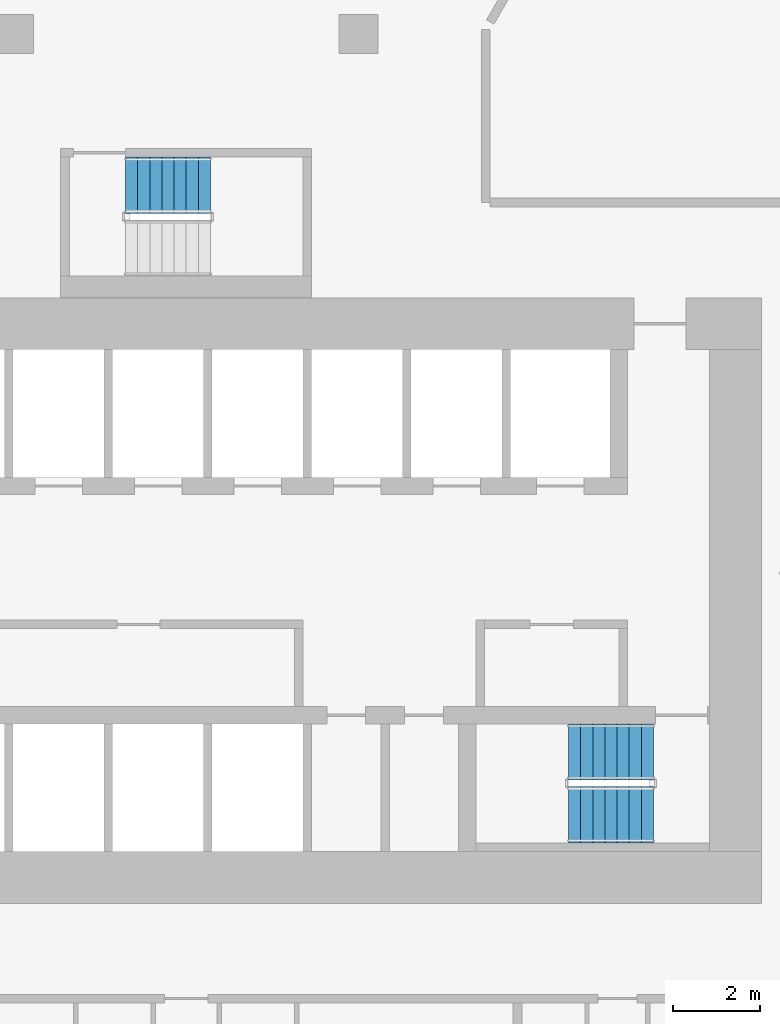
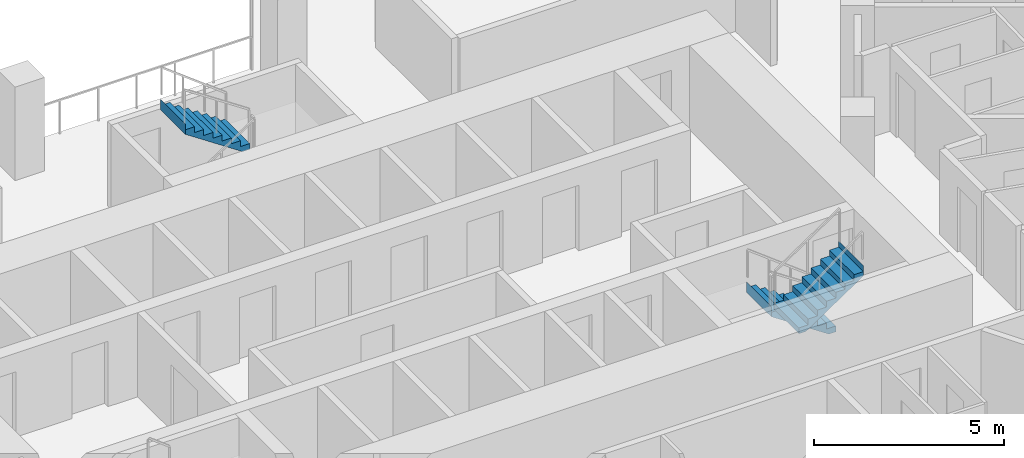
# One storey, part 17 of 21: 3 stair flights, 2 elements without a shape of their own.
"""IFC4 building model written with IfcOpenShell, lengths in metres."""

from ifc_helpers import new_model, si_unit, direction, frame, origin, place, context, subcontext, project, spatial, triangles, material, type_object, element, aggregate, save


model = new_model("IFC4")

# Units and contexts
model_context = context("Model", 3, precision=1e-05, world=origin(), true_north=direction((0.0, 1.0)))
body_context = subcontext(model_context, "Body", "Model", "MODEL_VIEW")
ifc_project = project(units=[si_unit("LENGTHUNIT", "METRE"), si_unit("AREAUNIT", "SQUARE_METRE"), si_unit("VOLUMEUNIT", "CUBIC_METRE"), si_unit("PLANEANGLEUNIT", "RADIAN"), si_unit("MASSUNIT", "GRAM", prefix="KILO")], contexts=[model_context])

# Site, building, storey
site_placement = place(None, origin())
site = spatial("IfcSite", under=ifc_project, at=site_placement, CompositionType="ELEMENT")
building_placement = place(site_placement, origin())
building = spatial("IfcBuilding", under=site, at=building_placement, Name="Beryl Residences", CompositionType="ELEMENT")
storey_placement = place(building_placement, frame((0.0, 0.0, 53.39990234375)))
storey = spatial("IfcBuildingStorey", under=building, at=storey_placement, Name="L16", CompositionType="ELEMENT", Elevation=53.39990234375)

# Stair, stair flights
ifc_material_1 = material(Name="Concrete C40/50", Category="concrete")
stair_type = type_object("IfcStairType", Name="ST1 protected exit stair, half-turn, 1300 mm flights", PredefinedType="HALF_TURN_STAIR", material=ifc_material_1)
stair_1_placement = place(storey_placement, origin())
stair_1 = element("IfcStair", 1, at=stair_1_placement, inside=storey, type_object=stair_type, Name="L16 PROTECTED EXIT STAIR ST-3", PredefinedType="HALF_TURN_STAIR")
ifc_material_2 = material(Name="Concrete C40/50", Category="concrete")
stair_flight_type = type_object("IfcStairFlightType", Name="SF1 stair flight 1300 mm", PredefinedType="STRAIGHT", material=ifc_material_2)
stair_flight_1_placement = place(storey_placement, frame((10.800048828125, -15.5, 0.0), z_axis=(0.0, 0.0, 1.0), x_axis=(-1.0, 0.0, 0.0)))
stair_flight_1 = element("IfcStairFlight", 2, at=stair_flight_1_placement, type_object=stair_flight_type, Name="ST-3 flight 1", NumberOfRisers=8, NumberOfTreads=7, PredefinedType="STRAIGHT", RiserHeight=0.1875, TreadLength=0.28, context=body_context, shape_type="Tessellation", body=[
    triangles([(0.0, -0.64990234375, 0.0), (0.0, -0.324951171875, 0.0), (0.0, 0.0, 0.0), (0.0, 0.324951171875, 0.0), (0.0, 0.64990234375, 0.0), (0.0, -0.64990234375, 0.1875), (0.0, -0.324951171875, 0.1875), (0.0, 0.0, 0.1875), (0.0, 0.324951171875, 0.1875), (0.0, 0.64990234375, 0.1875), (0.280029296875, -0.64990234375, 0.1875), (0.280029296875, -0.324951171875, 0.1875), (0.280029296875, 0.0, 0.1875), (0.280029296875, 0.324951171875, 0.1875), (0.280029296875, 0.64990234375, 0.1875), (0.280029296875, -0.64990234375, 0.375), (0.280029296875, -0.324951171875, 0.375), (0.280029296875, 0.0, 0.375), (0.280029296875, 0.324951171875, 0.375), (0.280029296875, 0.64990234375, 0.375), (0.56005859375, -0.64990234375, 0.375), (0.56005859375, -0.324951171875, 0.375), (0.56005859375, 0.0, 0.375), (0.56005859375, 0.324951171875, 0.375), (0.56005859375, 0.64990234375, 0.375), (0.56005859375, -0.64990234375, 0.5625), (0.56005859375, -0.324951171875, 0.5625), (0.56005859375, 0.0, 0.5625), (0.56005859375, 0.324951171875, 0.5625), (0.56005859375, 0.64990234375, 0.5625), (0.840087890625, -0.64990234375, 0.5625), (0.840087890625, -0.324951171875, 0.5625), (0.840087890625, 0.0, 0.5625), (0.840087890625, 0.324951171875, 0.5625), (0.840087890625, 0.64990234375, 0.5625), (0.840087890625, -0.64990234375, 0.75), (0.840087890625, -0.324951171875, 0.75), (0.840087890625, 0.0, 0.75), (0.840087890625, 0.324951171875, 0.75), (0.840087890625, 0.64990234375, 0.75), (1.1201171875, -0.64990234375, 0.75), (1.1201171875, -0.324951171875, 0.75), (1.1201171875, 0.0, 0.75), (1.1201171875, 0.324951171875, 0.75), (1.1201171875, 0.64990234375, 0.75), (1.1201171875, -0.64990234375, 0.9375), (1.1201171875, -0.324951171875, 0.9375), (1.1201171875, 0.0, 0.9375), (1.1201171875, 0.324951171875, 0.9375), (1.1201171875, 0.64990234375, 0.9375), (1.39990234375, -0.64990234375, 0.9375), (1.39990234375, -0.324951171875, 0.9375), (1.39990234375, 0.0, 0.9375), (1.39990234375, 0.324951171875, 0.9375), (1.39990234375, 0.64990234375, 0.9375), (1.39990234375, -0.64990234375, 1.125), (1.39990234375, -0.324951171875, 1.125), (1.39990234375, 0.0, 1.125), (1.39990234375, 0.324951171875, 1.125), (1.39990234375, 0.64990234375, 1.125), (1.679931640625, -0.64990234375, 1.125), (1.679931640625, -0.324951171875, 1.125), (1.679931640625, 0.0, 1.125), (1.679931640625, 0.324951171875, 1.125), (1.679931640625, 0.64990234375, 1.125), (1.679931640625, -0.64990234375, 1.3125), (1.679931640625, -0.324951171875, 1.3125), (1.679931640625, 0.0, 1.3125), (1.679931640625, 0.324951171875, 1.3125), (1.679931640625, 0.64990234375, 1.3125), (1.9599609375, -0.64990234375, 1.3125), (1.9599609375, -0.324951171875, 1.3125), (1.9599609375, 0.0, 1.3125), (1.9599609375, 0.324951171875, 1.3125), (1.9599609375, 0.64990234375, 1.3125), (1.9599609375, -0.64990234375, 1.5), (1.9599609375, -0.324951171875, 1.5), (1.9599609375, 0.0, 1.5), (1.9599609375, 0.324951171875, 1.5), (1.9599609375, 0.64990234375, 1.5), (1.9609375, -0.64990234375, 1.5), (1.9609375, -0.324951171875, 1.5), (1.9609375, 0.0, 1.5), (1.9609375, 0.324951171875, 1.5), (1.9609375, 0.64990234375, 1.5), (1.9609375, -0.64990234375, 1.16796875), (1.9609375, -0.324951171875, 1.16796875), (1.9609375, 0.0, 1.16796875), (1.9609375, 0.324951171875, 1.16796875), (1.9609375, 0.64990234375, 1.16796875), (0.216796875, -0.64990234375, 0.0), (0.216796875, -0.324951171875, 0.0), (0.216796875, 0.0, 0.0), (0.216796875, 0.324951171875, 0.0), (0.216796875, 0.64990234375, 0.0)], [[1, 6, 7], [1, 7, 2], [2, 7, 8], [2, 8, 3], [3, 8, 9], [3, 9, 4], [4, 9, 10], [4, 10, 5], [6, 11, 12], [6, 12, 7], [7, 12, 13], [7, 13, 8], [8, 13, 14], [8, 14, 9], [9, 14, 15], [9, 15, 10], [11, 16, 17], [11, 17, 12], [12, 17, 18], [12, 18, 13], [13, 18, 19], [13, 19, 14], [14, 19, 20], [14, 20, 15], [16, 21, 22], [16, 22, 17], [17, 22, 23], [17, 23, 18], [18, 23, 24], [18, 24, 19], [19, 24, 25], [19, 25, 20], [21, 26, 27], [21, 27, 22], [22, 27, 28], [22, 28, 23], [23, 28, 29], [23, 29, 24], [24, 29, 30], [24, 30, 25], [26, 31, 32], [26, 32, 27], [27, 32, 33], [27, 33, 28], [28, 33, 34], [28, 34, 29], [29, 34, 35], [29, 35, 30], [31, 36, 37], [31, 37, 32], [32, 37, 38], [32, 38, 33], [33, 38, 39], [33, 39, 34], [34, 39, 40], [34, 40, 35], [36, 41, 42], [36, 42, 37], [37, 42, 43], [37, 43, 38], [38, 43, 44], [38, 44, 39], [39, 44, 45], [39, 45, 40], [41, 46, 47], [41, 47, 42], [42, 47, 48], [42, 48, 43], [43, 48, 49], [43, 49, 44], [44, 49, 50], [44, 50, 45], [46, 51, 52], [46, 52, 47], [47, 52, 53], [47, 53, 48], [48, 53, 54], [48, 54, 49], [49, 54, 55], [49, 55, 50], [51, 56, 57], [51, 57, 52], [52, 57, 58], [52, 58, 53], [53, 58, 59], [53, 59, 54], [54, 59, 60], [54, 60, 55], [56, 61, 62], [56, 62, 57], [57, 62, 63], [57, 63, 58], [58, 63, 64], [58, 64, 59], [59, 64, 65], [59, 65, 60], [61, 66, 67], [61, 67, 62], [62, 67, 68], [62, 68, 63], [63, 68, 69], [63, 69, 64], [64, 69, 70], [64, 70, 65], [66, 71, 72], [66, 72, 67], [67, 72, 73], [67, 73, 68], [68, 73, 74], [68, 74, 69], [69, 74, 75], [69, 75, 70], [71, 76, 77], [71, 77, 72], [72, 77, 78], [72, 78, 73], [73, 78, 79], [73, 79, 74], [74, 79, 80], [74, 80, 75], [76, 81, 82], [76, 82, 77], [77, 82, 83], [77, 83, 78], [78, 83, 84], [78, 84, 79], [79, 84, 85], [79, 85, 80], [81, 86, 87], [81, 87, 82], [82, 87, 88], [82, 88, 83], [83, 88, 89], [83, 89, 84], [84, 89, 90], [84, 90, 85], [86, 91, 92], [86, 92, 87], [87, 92, 93], [87, 93, 88], [88, 93, 94], [88, 94, 89], [89, 94, 95], [89, 95, 90], [91, 1, 2], [91, 2, 92], [92, 2, 3], [92, 3, 93], [93, 3, 4], [93, 4, 94], [94, 4, 5], [94, 5, 95], [1, 91, 86], [5, 90, 95], [86, 81, 76], [90, 80, 85], [86, 76, 71], [90, 75, 80], [86, 71, 66], [90, 70, 75], [86, 66, 61], [90, 65, 70], [61, 56, 51], [65, 55, 60], [86, 61, 51], [90, 55, 65], [51, 46, 41], [55, 45, 50], [86, 51, 41], [90, 45, 55], [41, 36, 31], [45, 35, 40], [86, 41, 31], [90, 35, 45], [31, 26, 21], [35, 25, 30], [86, 31, 21], [90, 25, 35], [21, 16, 11], [25, 15, 20], [86, 21, 11], [90, 15, 25], [1, 86, 11], [5, 15, 90], [11, 6, 1], [15, 5, 10]], closed=True),
])
stair_flight_2_placement = place(storey_placement, frame((8.840087890625, -16.949951171875, 1.5), z_axis=(0.0, 0.0, 1.0), x_axis=(1.0, 0.0, 0.0)))
stair_flight_2 = element("IfcStairFlight", 3, at=stair_flight_2_placement, type_object=stair_flight_type, Name="ST-3 flight 2", NumberOfRisers=8, NumberOfTreads=7, PredefinedType="STRAIGHT", RiserHeight=0.1875, TreadLength=0.28, context=body_context, shape_type="Tessellation", body=[
    triangles([(0.0, -0.64990234375, 0.0), (0.0, -0.324951171875, 0.0), (0.0, 0.0, 0.0), (0.0, 0.324951171875, 0.0), (0.0, 0.64990234375, 0.0), (0.0, -0.64990234375, 0.1875), (0.0, -0.324951171875, 0.1875), (0.0, 0.0, 0.1875), (0.0, 0.324951171875, 0.1875), (0.0, 0.64990234375, 0.1875), (0.280029296875, -0.64990234375, 0.1875), (0.280029296875, -0.324951171875, 0.1875), (0.280029296875, 0.0, 0.1875), (0.280029296875, 0.324951171875, 0.1875), (0.280029296875, 0.64990234375, 0.1875), (0.280029296875, -0.64990234375, 0.375), (0.280029296875, -0.324951171875, 0.375), (0.280029296875, 0.0, 0.375), (0.280029296875, 0.324951171875, 0.375), (0.280029296875, 0.64990234375, 0.375), (0.56005859375, -0.64990234375, 0.375), (0.56005859375, -0.324951171875, 0.375), (0.56005859375, 0.0, 0.375), (0.56005859375, 0.324951171875, 0.375), (0.56005859375, 0.64990234375, 0.375), (0.56005859375, -0.64990234375, 0.5625), (0.56005859375, -0.324951171875, 0.5625), (0.56005859375, 0.0, 0.5625), (0.56005859375, 0.324951171875, 0.5625), (0.56005859375, 0.64990234375, 0.5625), (0.840087890625, -0.64990234375, 0.5625), (0.840087890625, -0.324951171875, 0.5625), (0.840087890625, 0.0, 0.5625), (0.840087890625, 0.324951171875, 0.5625), (0.840087890625, 0.64990234375, 0.5625), (0.840087890625, -0.64990234375, 0.75), (0.840087890625, -0.324951171875, 0.75), (0.840087890625, 0.0, 0.75), (0.840087890625, 0.324951171875, 0.75), (0.840087890625, 0.64990234375, 0.75), (1.1201171875, -0.64990234375, 0.75), (1.1201171875, -0.324951171875, 0.75), (1.1201171875, 0.0, 0.75), (1.1201171875, 0.324951171875, 0.75), (1.1201171875, 0.64990234375, 0.75), (1.1201171875, -0.64990234375, 0.9375), (1.1201171875, -0.324951171875, 0.9375), (1.1201171875, 0.0, 0.9375), (1.1201171875, 0.324951171875, 0.9375), (1.1201171875, 0.64990234375, 0.9375), (1.39990234375, -0.64990234375, 0.9375), (1.39990234375, -0.324951171875, 0.9375), (1.39990234375, 0.0, 0.9375), (1.39990234375, 0.324951171875, 0.9375), (1.39990234375, 0.64990234375, 0.9375), (1.39990234375, -0.64990234375, 1.125), (1.39990234375, -0.324951171875, 1.125), (1.39990234375, 0.0, 1.125), (1.39990234375, 0.324951171875, 1.125), (1.39990234375, 0.64990234375, 1.125), (1.679931640625, -0.64990234375, 1.125), (1.679931640625, -0.324951171875, 1.125), (1.679931640625, 0.0, 1.125), (1.679931640625, 0.324951171875, 1.125), (1.679931640625, 0.64990234375, 1.125), (1.679931640625, -0.64990234375, 1.3125), (1.679931640625, -0.324951171875, 1.3125), (1.679931640625, 0.0, 1.3125), (1.679931640625, 0.324951171875, 1.3125), (1.679931640625, 0.64990234375, 1.3125), (1.9599609375, -0.64990234375, 1.3125), (1.9599609375, -0.324951171875, 1.3125), (1.9599609375, 0.0, 1.3125), (1.9599609375, 0.324951171875, 1.3125), (1.9599609375, 0.64990234375, 1.3125), (1.9599609375, -0.64990234375, 1.5), (1.9599609375, -0.324951171875, 1.5), (1.9599609375, 0.0, 1.5), (1.9599609375, 0.324951171875, 1.5), (1.9599609375, 0.64990234375, 1.5), (1.9609375, -0.64990234375, 1.5), (1.9609375, -0.324951171875, 1.5), (1.9609375, 0.0, 1.5), (1.9609375, 0.324951171875, 1.5), (1.9609375, 0.64990234375, 1.5), (1.9609375, -0.64990234375, 1.16796875), (1.9609375, -0.324951171875, 1.16796875), (1.9609375, 0.0, 1.16796875), (1.9609375, 0.324951171875, 1.16796875), (1.9609375, 0.64990234375, 1.16796875), (0.216796875, -0.64990234375, 0.0), (0.216796875, -0.324951171875, 0.0), (0.216796875, 0.0, 0.0), (0.216796875, 0.324951171875, 0.0), (0.216796875, 0.64990234375, 0.0)], [[1, 6, 7], [1, 7, 2], [2, 7, 8], [2, 8, 3], [3, 8, 9], [3, 9, 4], [4, 9, 10], [4, 10, 5], [6, 11, 12], [6, 12, 7], [7, 12, 13], [7, 13, 8], [8, 13, 14], [8, 14, 9], [9, 14, 15], [9, 15, 10], [11, 16, 17], [11, 17, 12], [12, 17, 18], [12, 18, 13], [13, 18, 19], [13, 19, 14], [14, 19, 20], [14, 20, 15], [16, 21, 22], [16, 22, 17], [17, 22, 23], [17, 23, 18], [18, 23, 24], [18, 24, 19], [19, 24, 25], [19, 25, 20], [21, 26, 27], [21, 27, 22], [22, 27, 28], [22, 28, 23], [23, 28, 29], [23, 29, 24], [24, 29, 30], [24, 30, 25], [26, 31, 32], [26, 32, 27], [27, 32, 33], [27, 33, 28], [28, 33, 34], [28, 34, 29], [29, 34, 35], [29, 35, 30], [31, 36, 37], [31, 37, 32], [32, 37, 38], [32, 38, 33], [33, 38, 39], [33, 39, 34], [34, 39, 40], [34, 40, 35], [36, 41, 42], [36, 42, 37], [37, 42, 43], [37, 43, 38], [38, 43, 44], [38, 44, 39], [39, 44, 45], [39, 45, 40], [41, 46, 47], [41, 47, 42], [42, 47, 48], [42, 48, 43], [43, 48, 49], [43, 49, 44], [44, 49, 50], [44, 50, 45], [46, 51, 52], [46, 52, 47], [47, 52, 53], [47, 53, 48], [48, 53, 54], [48, 54, 49], [49, 54, 55], [49, 55, 50], [51, 56, 57], [51, 57, 52], [52, 57, 58], [52, 58, 53], [53, 58, 59], [53, 59, 54], [54, 59, 60], [54, 60, 55], [56, 61, 62], [56, 62, 57], [57, 62, 63], [57, 63, 58], [58, 63, 64], [58, 64, 59], [59, 64, 65], [59, 65, 60], [61, 66, 67], [61, 67, 62], [62, 67, 68], [62, 68, 63], [63, 68, 69], [63, 69, 64], [64, 69, 70], [64, 70, 65], [66, 71, 72], [66, 72, 67], [67, 72, 73], [67, 73, 68], [68, 73, 74], [68, 74, 69], [69, 74, 75], [69, 75, 70], [71, 76, 77], [71, 77, 72], [72, 77, 78], [72, 78, 73], [73, 78, 79], [73, 79, 74], [74, 79, 80], [74, 80, 75], [76, 81, 82], [76, 82, 77], [77, 82, 83], [77, 83, 78], [78, 83, 84], [78, 84, 79], [79, 84, 85], [79, 85, 80], [81, 86, 87], [81, 87, 82], [82, 87, 88], [82, 88, 83], [83, 88, 89], [83, 89, 84], [84, 89, 90], [84, 90, 85], [86, 91, 92], [86, 92, 87], [87, 92, 93], [87, 93, 88], [88, 93, 94], [88, 94, 89], [89, 94, 95], [89, 95, 90], [91, 1, 2], [91, 2, 92], [92, 2, 3], [92, 3, 93], [93, 3, 4], [93, 4, 94], [94, 4, 5], [94, 5, 95], [1, 91, 86], [5, 90, 95], [86, 81, 76], [90, 80, 85], [86, 76, 71], [90, 75, 80], [86, 71, 66], [90, 70, 75], [86, 66, 61], [90, 65, 70], [61, 56, 51], [65, 55, 60], [86, 61, 51], [90, 55, 65], [51, 46, 41], [55, 45, 50], [86, 51, 41], [90, 45, 55], [41, 36, 31], [45, 35, 40], [86, 41, 31], [90, 35, 45], [31, 26, 21], [35, 25, 30], [86, 31, 21], [90, 25, 35], [21, 16, 11], [25, 15, 20], [86, 21, 11], [90, 15, 25], [1, 86, 11], [5, 15, 90], [11, 6, 1], [15, 5, 10]], closed=True),
])
aggregate(stair_1, [stair_flight_1, stair_flight_2])

# Stair, stair flight
stair_2_placement = place(storey_placement, origin())
stair_2 = element("IfcStair", 4, at=stair_2_placement, inside=storey, type_object=stair_type, Name="L16 PROTECTED EXIT STAIR ST-4", PredefinedType="HALF_TURN_STAIR")
stair_flight_3_placement = place(storey_placement, frame((0.56005859375, -2.39990234375, 1.5), z_axis=(0.0, 0.0, 1.0), x_axis=(-1.0, 0.0, 0.0)))
stair_flight_3 = element("IfcStairFlight", 5, at=stair_flight_3_placement, type_object=stair_flight_type, Name="ST-4 flight 2", NumberOfRisers=8, NumberOfTreads=7, PredefinedType="STRAIGHT", RiserHeight=0.1875, TreadLength=0.28, context=body_context, shape_type="Tessellation", body=[
    triangles([(0.0, -0.64990234375, 0.0), (0.0, -0.324951171875, 0.0), (0.0, 0.0, 0.0), (0.0, 0.324951171875, 0.0), (0.0, 0.64990234375, 0.0), (0.0, -0.64990234375, 0.1875), (0.0, -0.324951171875, 0.1875), (0.0, 0.0, 0.1875), (0.0, 0.324951171875, 0.1875), (0.0, 0.64990234375, 0.1875), (0.280029296875, -0.64990234375, 0.1875), (0.280029296875, -0.324951171875, 0.1875), (0.280029296875, 0.0, 0.1875), (0.280029296875, 0.324951171875, 0.1875), (0.280029296875, 0.64990234375, 0.1875), (0.280029296875, -0.64990234375, 0.375), (0.280029296875, -0.324951171875, 0.375), (0.280029296875, 0.0, 0.375), (0.280029296875, 0.324951171875, 0.375), (0.280029296875, 0.64990234375, 0.375), (0.56005859375, -0.64990234375, 0.375), (0.56005859375, -0.324951171875, 0.375), (0.56005859375, 0.0, 0.375), (0.56005859375, 0.324951171875, 0.375), (0.56005859375, 0.64990234375, 0.375), (0.56005859375, -0.64990234375, 0.5625), (0.56005859375, -0.324951171875, 0.5625), (0.56005859375, 0.0, 0.5625), (0.56005859375, 0.324951171875, 0.5625), (0.56005859375, 0.64990234375, 0.5625), (0.840087890625, -0.64990234375, 0.5625), (0.840087890625, -0.324951171875, 0.5625), (0.840087890625, 0.0, 0.5625), (0.840087890625, 0.324951171875, 0.5625), (0.840087890625, 0.64990234375, 0.5625), (0.840087890625, -0.64990234375, 0.75), (0.840087890625, -0.324951171875, 0.75), (0.840087890625, 0.0, 0.75), (0.840087890625, 0.324951171875, 0.75), (0.840087890625, 0.64990234375, 0.75), (1.1201171875, -0.64990234375, 0.75), (1.1201171875, -0.324951171875, 0.75), (1.1201171875, 0.0, 0.75), (1.1201171875, 0.324951171875, 0.75), (1.1201171875, 0.64990234375, 0.75), (1.1201171875, -0.64990234375, 0.9375), (1.1201171875, -0.324951171875, 0.9375), (1.1201171875, 0.0, 0.9375), (1.1201171875, 0.324951171875, 0.9375), (1.1201171875, 0.64990234375, 0.9375), (1.39990234375, -0.64990234375, 0.9375), (1.39990234375, -0.324951171875, 0.9375), (1.39990234375, 0.0, 0.9375), (1.39990234375, 0.324951171875, 0.9375), (1.39990234375, 0.64990234375, 0.9375), (1.39990234375, -0.64990234375, 1.125), (1.39990234375, -0.324951171875, 1.125), (1.39990234375, 0.0, 1.125), (1.39990234375, 0.324951171875, 1.125), (1.39990234375, 0.64990234375, 1.125), (1.679931640625, -0.64990234375, 1.125), (1.679931640625, -0.324951171875, 1.125), (1.679931640625, 0.0, 1.125), (1.679931640625, 0.324951171875, 1.125), (1.679931640625, 0.64990234375, 1.125), (1.679931640625, -0.64990234375, 1.3125), (1.679931640625, -0.324951171875, 1.3125), (1.679931640625, 0.0, 1.3125), (1.679931640625, 0.324951171875, 1.3125), (1.679931640625, 0.64990234375, 1.3125), (1.9599609375, -0.64990234375, 1.3125), (1.9599609375, -0.324951171875, 1.3125), (1.9599609375, 0.0, 1.3125), (1.9599609375, 0.324951171875, 1.3125), (1.9599609375, 0.64990234375, 1.3125), (1.9599609375, -0.64990234375, 1.5), (1.9599609375, -0.324951171875, 1.5), (1.9599609375, 0.0, 1.5), (1.9599609375, 0.324951171875, 1.5), (1.9599609375, 0.64990234375, 1.5), (1.9609375, -0.64990234375, 1.5), (1.9609375, -0.324951171875, 1.5), (1.9609375, 0.0, 1.5), (1.9609375, 0.324951171875, 1.5), (1.9609375, 0.64990234375, 1.5), (1.9609375, -0.64990234375, 1.16796875), (1.9609375, -0.324951171875, 1.16796875), (1.9609375, 0.0, 1.16796875), (1.9609375, 0.324951171875, 1.16796875), (1.9609375, 0.64990234375, 1.16796875), (0.216796875, -0.64990234375, 0.0), (0.216796875, -0.324951171875, 0.0), (0.216796875, 0.0, 0.0), (0.216796875, 0.324951171875, 0.0), (0.216796875, 0.64990234375, 0.0)], [[1, 6, 7], [1, 7, 2], [2, 7, 8], [2, 8, 3], [3, 8, 9], [3, 9, 4], [4, 9, 10], [4, 10, 5], [6, 11, 12], [6, 12, 7], [7, 12, 13], [7, 13, 8], [8, 13, 14], [8, 14, 9], [9, 14, 15], [9, 15, 10], [11, 16, 17], [11, 17, 12], [12, 17, 18], [12, 18, 13], [13, 18, 19], [13, 19, 14], [14, 19, 20], [14, 20, 15], [16, 21, 22], [16, 22, 17], [17, 22, 23], [17, 23, 18], [18, 23, 24], [18, 24, 19], [19, 24, 25], [19, 25, 20], [21, 26, 27], [21, 27, 22], [22, 27, 28], [22, 28, 23], [23, 28, 29], [23, 29, 24], [24, 29, 30], [24, 30, 25], [26, 31, 32], [26, 32, 27], [27, 32, 33], [27, 33, 28], [28, 33, 34], [28, 34, 29], [29, 34, 35], [29, 35, 30], [31, 36, 37], [31, 37, 32], [32, 37, 38], [32, 38, 33], [33, 38, 39], [33, 39, 34], [34, 39, 40], [34, 40, 35], [36, 41, 42], [36, 42, 37], [37, 42, 43], [37, 43, 38], [38, 43, 44], [38, 44, 39], [39, 44, 45], [39, 45, 40], [41, 46, 47], [41, 47, 42], [42, 47, 48], [42, 48, 43], [43, 48, 49], [43, 49, 44], [44, 49, 50], [44, 50, 45], [46, 51, 52], [46, 52, 47], [47, 52, 53], [47, 53, 48], [48, 53, 54], [48, 54, 49], [49, 54, 55], [49, 55, 50], [51, 56, 57], [51, 57, 52], [52, 57, 58], [52, 58, 53], [53, 58, 59], [53, 59, 54], [54, 59, 60], [54, 60, 55], [56, 61, 62], [56, 62, 57], [57, 62, 63], [57, 63, 58], [58, 63, 64], [58, 64, 59], [59, 64, 65], [59, 65, 60], [61, 66, 67], [61, 67, 62], [62, 67, 68], [62, 68, 63], [63, 68, 69], [63, 69, 64], [64, 69, 70], [64, 70, 65], [66, 71, 72], [66, 72, 67], [67, 72, 73], [67, 73, 68], [68, 73, 74], [68, 74, 69], [69, 74, 75], [69, 75, 70], [71, 76, 77], [71, 77, 72], [72, 77, 78], [72, 78, 73], [73, 78, 79], [73, 79, 74], [74, 79, 80], [74, 80, 75], [76, 81, 82], [76, 82, 77], [77, 82, 83], [77, 83, 78], [78, 83, 84], [78, 84, 79], [79, 84, 85], [79, 85, 80], [81, 86, 87], [81, 87, 82], [82, 87, 88], [82, 88, 83], [83, 88, 89], [83, 89, 84], [84, 89, 90], [84, 90, 85], [86, 91, 92], [86, 92, 87], [87, 92, 93], [87, 93, 88], [88, 93, 94], [88, 94, 89], [89, 94, 95], [89, 95, 90], [91, 1, 2], [91, 2, 92], [92, 2, 3], [92, 3, 93], [93, 3, 4], [93, 4, 94], [94, 4, 5], [94, 5, 95], [1, 91, 86], [5, 90, 95], [86, 81, 76], [90, 80, 85], [86, 76, 71], [90, 75, 80], [86, 71, 66], [90, 70, 75], [86, 66, 61], [90, 65, 70], [61, 56, 51], [65, 55, 60], [86, 61, 51], [90, 55, 65], [51, 46, 41], [55, 45, 50], [86, 51, 41], [90, 45, 55], [41, 36, 31], [45, 35, 40], [86, 41, 31], [90, 35, 45], [31, 26, 21], [35, 25, 30], [86, 31, 21], [90, 25, 35], [21, 16, 11], [25, 15, 20], [86, 21, 11], [90, 15, 25], [1, 86, 11], [5, 15, 90], [11, 6, 1], [15, 5, 10]], closed=True),
])
aggregate(stair_2, [stair_flight_3])

save(model, "model.ifc")
